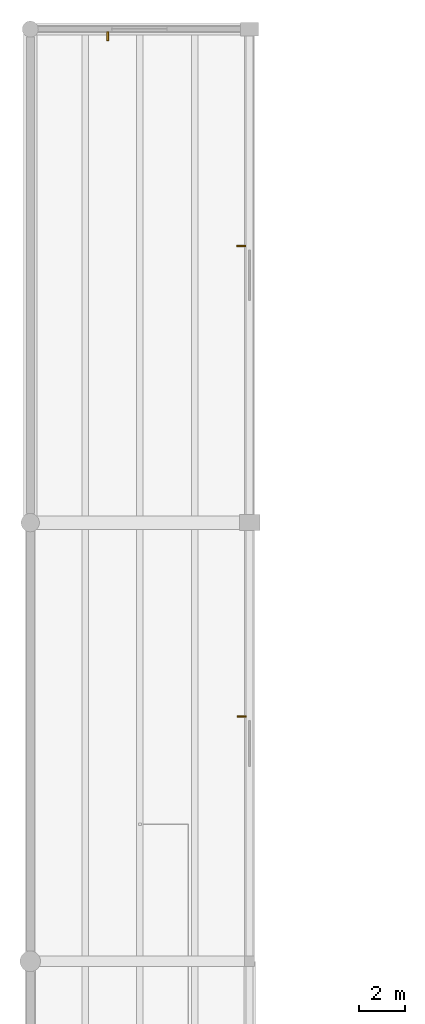
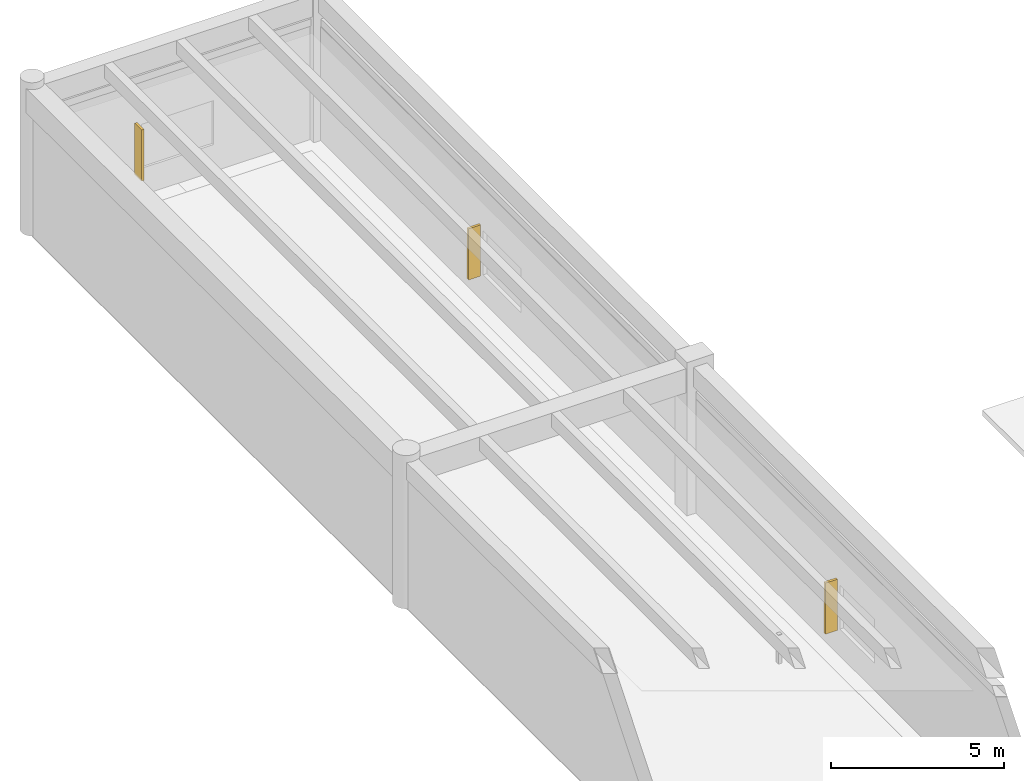
# One storey, part 133 of 138: 3 shading devices.
"""IFC4 building model written with IfcOpenShell, lengths in metres."""

from ifc_helpers import new_model, si_unit, direction, frame, origin, origin_2d, place, context, subcontext, project, spatial, rectangle, extrude, material, type_object, element, save


model = new_model("IFC4")

# Units and contexts
model_context = context("Model", 3, precision=1e-05, world=origin(), true_north=direction((0.0, 1.0)))
body_context = subcontext(model_context, "Body", "Model", "MODEL_VIEW")
ifc_project = project(units=[si_unit("LENGTHUNIT", "METRE"), si_unit("AREAUNIT", "SQUARE_METRE"), si_unit("VOLUMEUNIT", "CUBIC_METRE"), si_unit("PLANEANGLEUNIT", "RADIAN"), si_unit("MASSUNIT", "GRAM", prefix="KILO")], contexts=[model_context])

# Site, building, storey
site_placement = place(None, origin())
site = spatial("IfcSite", under=ifc_project, at=site_placement, CompositionType="ELEMENT")
building_placement = place(site_placement, origin())
building = spatial("IfcBuilding", under=site, at=building_placement, Name="Fikremerkos Civic Library", CompositionType="ELEMENT")
storey_placement = place(building_placement, origin())
storey = spatial("IfcBuildingStorey", under=building, at=storey_placement, Name="L00", CompositionType="ELEMENT", Elevation=0.0)

# Shading devices
ifc_material = material(Name="Bronze anodized aluminium", Category="aluminium")
shading_device_type = type_object("IfcShadingDeviceType", Name="Perforated bronze vertical solar fin SHD-02", PredefinedType="USERDEFINED", material=ifc_material)
for number, where, z_axis, x_axis, name in (
    (1, (3.39501953125, 117.2900390625, 0.8251953125), (0.0, 0.0, 1.0), (1.0, 0.0, 0.0), "Vertical bronze solar fin SHD-02 L00 #1"),
    (2, (9.239990234375, 108.10498046875, 0.8251953125), (0.0, 0.0, 1.0), (0.0, 1.0, 0.0), "Vertical bronze solar fin SHD-02 L00 #2"),
    (3, (9.25, 87.517578125, 0.8251953125), (0.0, 0.0, 1.0), (0.0, 1.0, 0.0), "Vertical bronze solar fin SHD-02 L00 #3"),
):
    element("IfcShadingDevice", number, at=place(storey_placement, frame(where, z_axis=z_axis, x_axis=x_axis)), inside=storey, type_object=shading_device_type, Name=name, ObjectType="SOLAR FIN", PredefinedType="USERDEFINED", context=body_context, shape_type="SweptSolid", body=[
        extrude(rectangle(XDim=0.080078125, YDim=0.39990234375, at=origin_2d()), origin(), (0.0, 0.0, 1.0), 1.800048828125),
    ])

save(model, "model.ifc")
